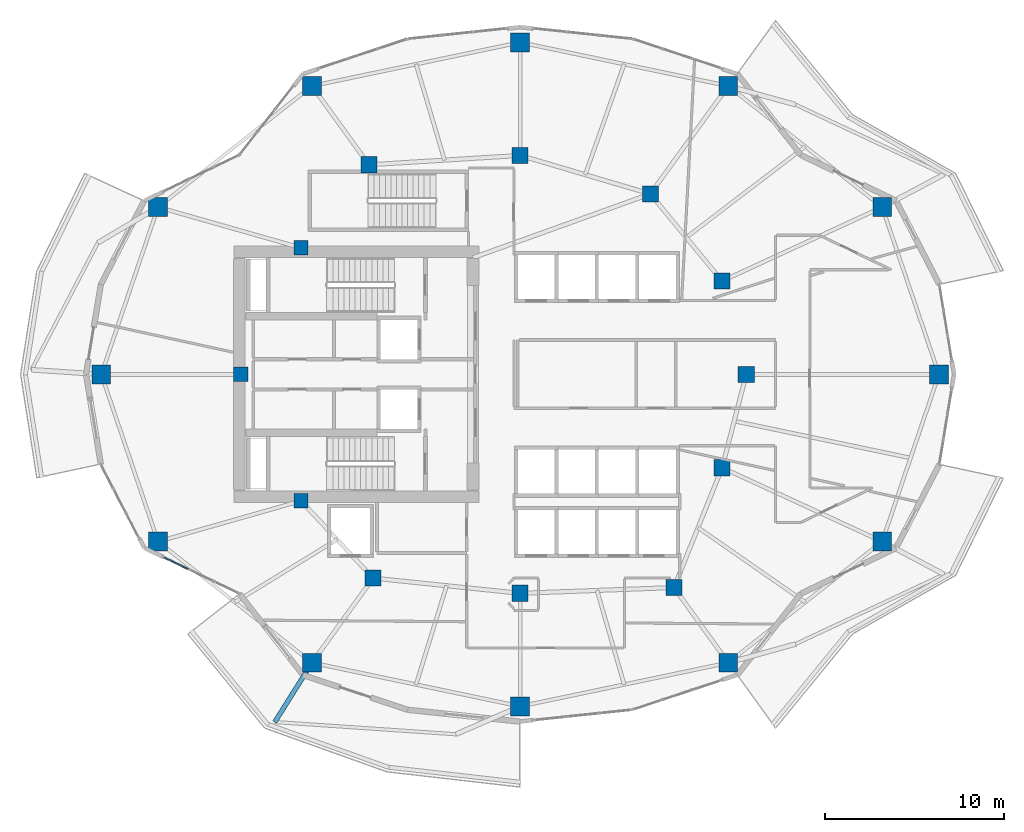
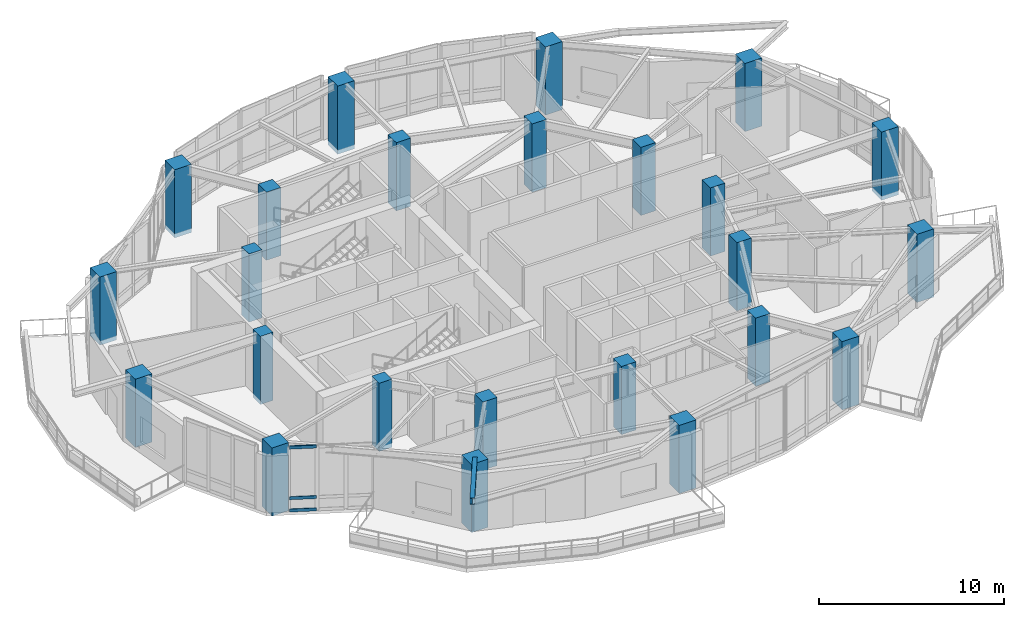
# One storey, part 1 of 16: 24 columns, 3 members, 1 beam, 1 element without a shape of its own.
"""IFC4 building model written with IfcOpenShell, lengths in metres."""

from ifc_helpers import new_model, si_unit, direction, frame, origin, origin_2d, place, context, subcontext, project, spatial, rectangle, i_section, extrude, material, layer, layer_set, material_profile, profile_set, type_object, element, aggregate, save


model = new_model("IFC4")

# Units and contexts
model_context = context("Model", 3, precision=1e-05, world=origin(), true_north=direction((0.0, 1.0)))
body_context = subcontext(model_context, "Body", "Model", "MODEL_VIEW")
ifc_project = project(units=[si_unit("LENGTHUNIT", "METRE"), si_unit("AREAUNIT", "SQUARE_METRE"), si_unit("VOLUMEUNIT", "CUBIC_METRE"), si_unit("PLANEANGLEUNIT", "RADIAN"), si_unit("MASSUNIT", "GRAM", prefix="KILO")], contexts=[model_context])

# Site, building, storey
site_placement = place(None, origin())
site = spatial("IfcSite", under=ifc_project, at=site_placement, CompositionType="ELEMENT")
building_placement = place(site_placement, origin())
building = spatial("IfcBuilding", under=site, at=building_placement, Name="Kolvaren Gate Tower and Convention Centre", CompositionType="ELEMENT")
storey_placement = place(building_placement, frame((0.0, 0.0, 100.800048828125)))
storey = spatial("IfcBuildingStorey", under=building, at=storey_placement, Name="L24", CompositionType="ELEMENT", Elevation=100.800048828125)

# Columns
ifc_material_1 = material(Name="Concrete C60/75", Category="concrete")
ifc_material_profile_1 = material_profile(ifc_material_1, rectangle(XDim=1.050048828125, YDim=1.050048828125, at=origin_2d()), Name="RC-COL-1050X1050")
ifc_profile_set_1 = profile_set([ifc_material_profile_1], Name="Concrete C60/75")
column_type_1 = type_object("IfcColumnType", Name="STR-COL-RC1050", PredefinedType="COLUMN", material=ifc_profile_set_1)
for number, where, z_axis, x_axis, name in (
    (1, (53.46240234375, 27.0, -0.280029296875), (0.0, 0.0, 1.0), (1.0, 0.0, 0.0), "Tower L24 Perimeter Supercolumn TP-01"),
    (2, (50.30029296875, 36.318603515625, -0.280029296875), (0.0, 0.0, 1.0), (1.0, 0.0, 0.0), "Tower L24 Perimeter Supercolumn TP-02"),
    (3, (41.721435546875, 43.068359375, -0.280029296875), (0.0, 0.0, 1.0), (1.0, 0.0, 0.0), "Tower L24 Perimeter Supercolumn TP-03"),
    (4, (30.125, 45.5, -0.280029296875), (0.0, 0.0, 1.0), (1.0, 0.0, 0.0), "Tower L24 Perimeter Supercolumn TP-04"),
    (5, (18.52880859375, 43.068359375, -0.280029296875), (0.0, 0.0, 1.0), (1.0, 0.0, 0.0), "Tower L24 Perimeter Supercolumn TP-05"),
    (6, (9.94970703125, 36.318603515625, -0.280029296875), (0.0, 0.0, 1.0), (1.0, 0.0, 0.0), "Tower L24 Perimeter Supercolumn TP-06"),
    (7, (6.78759765625, 27.0, -0.280029296875), (0.0, 0.0, 1.0), (1.0, 0.0, 0.0), "Tower L24 Perimeter Supercolumn TP-07"),
    (8, (9.94970703125, 17.681396484375, -0.280029296875), (0.0, 0.0, 1.0), (1.0, 0.0, 0.0), "Tower L24 Perimeter Supercolumn TP-08"),
    (9, (18.528564453125, 10.931640625, -0.280029296875), (0.0, 0.0, 1.0), (1.0, 0.0, 0.0), "Tower L24 Perimeter Supercolumn TP-09"),
    (10, (30.125, 8.5, -0.280029296875), (0.0, 0.0, 1.0), (1.0, 0.0, 0.0), "Tower L24 Perimeter Supercolumn TP-10"),
    (11, (41.721435546875, 10.931640625, -0.280029296875), (0.0, 0.0, 1.0), (1.0, 0.0, 0.0), "Tower L24 Perimeter Supercolumn TP-11"),
    (12, (50.30029296875, 17.681396484375, -0.280029296875), (0.0, 0.0, 1.0), (1.0, 0.0, 0.0), "Tower L24 Perimeter Supercolumn TP-12"),
):
    element("IfcColumn", number, at=place(storey_placement, frame(where, z_axis=z_axis, x_axis=x_axis)), inside=storey, type_object=column_type_1, Name=name, PredefinedType="COLUMN", context=body_context, shape_type="SweptSolid", body=[
        extrude(rectangle(XDim=1.050048828125, YDim=1.050048828125, at=origin_2d()), origin(), (0.0, 0.0, 1.0), 4.510009765625),
    ])
ifc_material_profile_2 = material_profile(ifc_material_1, rectangle(XDim=0.89990234375, YDim=0.89990234375, at=origin_2d()), Name="RC-COL-900X900")
ifc_profile_set_2 = profile_set([ifc_material_profile_2], Name="Concrete C60/75")
column_type_2 = type_object("IfcColumnType", Name="STR-COL-RC900", PredefinedType="COLUMN", material=ifc_profile_set_2)
for number, where, z_axis, x_axis, name in (
    (13, (42.72509765625, 27.0, -0.280029296875), (0.0, 0.0, 1.0), (1.0, 0.0, 0.0), "Tower L24 Interior Column TI-01"),
    (14, (41.382080078125, 32.199462890625, -0.280029296875), (0.0, 0.0, 1.0), (1.0, 0.0, 0.0), "Tower L24 Interior Column TI-02"),
    (15, (37.381591796875, 37.054931640625, -0.280029296875), (0.0, 0.0, 1.0), (1.0, 0.0, 0.0), "Tower L24 Interior Column TI-03"),
    (16, (30.125, 39.199951171875, -0.280029296875), (0.0, 0.0, 1.0), (1.0, 0.0, 0.0), "Tower L24 Interior Column TI-04"),
    (17, (21.697998046875, 38.6767578125, -0.280029296875), (0.0, 0.0, 1.0), (1.0, 0.0, 0.0), "Tower L24 Interior Column TI-05"),
    (18, (21.93212890625, 15.647705078125, -0.280029296875), (0.0, 0.0, 1.0), (1.0, 0.0, 0.0), "Tower L24 Interior Column TI-06"),
    (19, (30.125, 14.800048828125, -0.280029296875), (0.0, 0.0, 1.0), (1.0, 0.0, 0.0), "Tower L24 Interior Column TI-07"),
    (20, (38.6982421875, 15.12060546875, -0.280029296875), (0.0, 0.0, 1.0), (1.0, 0.0, 0.0), "Tower L24 Interior Column TI-08"),
    (21, (41.382080078125, 21.800537109375, -0.280029296875), (0.0, 0.0, 1.0), (1.0, 0.0, 0.0), "Tower L24 Interior Column TI-09"),
):
    element("IfcColumn", number, at=place(storey_placement, frame(where, z_axis=z_axis, x_axis=x_axis)), inside=storey, type_object=column_type_2, Name=name, PredefinedType="COLUMN", context=body_context, shape_type="SweptSolid", body=[
        extrude(rectangle(XDim=0.89990234375, YDim=0.89990234375, at=origin_2d()), origin(), (0.0, 0.0, 1.0), 4.510009765625),
    ])
ifc_material_profile_3 = material_profile(ifc_material_1, rectangle(XDim=0.800048828125, YDim=0.800048828125, at=origin_2d()), Name="RC-COL-800X800")
ifc_profile_set_3 = profile_set([ifc_material_profile_3], Name="Concrete C60/75")
column_type_3 = type_object("IfcColumnType", Name="STR-PIL-RC800", PredefinedType="PILASTER", material=ifc_profile_set_3)
for number, where, z_axis, x_axis, name in (
    (22, (17.9140625, 34.050048828125, -0.280029296875), (0.0, 0.0, 1.0), (1.0, 0.0, 0.0), "Tower L24 Core Boundary Pilaster TC-05"),
    (23, (14.550048828125, 27.0, -0.280029296875), (0.0, 0.0, 1.0), (1.0, 0.0, 0.0), "Tower L24 Core Boundary Pilaster TC-06"),
    (24, (17.9140625, 19.949951171875, -0.280029296875), (0.0, 0.0, 1.0), (1.0, 0.0, 0.0), "Tower L24 Core Boundary Pilaster TC-07"),
):
    element("IfcColumn", number, at=place(storey_placement, frame(where, z_axis=z_axis, x_axis=x_axis)), inside=storey, type_object=column_type_3, Name=name, PredefinedType="PILASTER", context=body_context, shape_type="SweptSolid", body=[
        extrude(rectangle(XDim=0.800048828125, YDim=0.800048828125, at=origin_2d()), origin(), (0.0, 0.0, 1.0), 4.510009765625),
    ])

# Curtain wall, members
ifc_material_2 = material(Name="Anodized Architectural Aluminium Alloy 6063-T6", Category="aluminium")
ifc_layer = layer(ifc_material_2, 0.199951171875)
ifc_layer_set = layer_set([ifc_layer], Name="Anodized Architectural Aluminium Alloy 6063-T6")
curtain_wall_type = type_object("IfcCurtainWallType", Name="CW-SKY-GLZ", PredefinedType="NOTDEFINED", material=ifc_layer_set)
curtain_wall_placement = place(storey_placement, origin())
curtain_wall = element("IfcCurtainWall", 25, at=curtain_wall_placement, inside=storey, type_object=curtain_wall_type, Name="L24 Panoramic Structural Curtain Wall CW-14", PredefinedType="NOTDEFINED")
ifc_material_profile_4 = material_profile(ifc_material_2, rectangle(XDim=0.074951171875, YDim=0.199951171875, at=origin_2d()), Name="CW-MEM-TRN-200")
ifc_profile_set_4 = profile_set([ifc_material_profile_4], Name="Anodized Architectural Aluminium Alloy 6063-T6")
member_type = type_object("IfcMemberType", Name="CW-MEM-TRN-200", PredefinedType="USERDEFINED", material=ifc_profile_set_4)
member_1_placement = place(storey_placement, frame((10.31005859375, 16.781005859375, 0.037353515625), z_axis=(0.901363279999, -0.43306377991, 0.0), x_axis=(0.43306377991, 0.901363279999, 0.0)))
member_1 = element("IfcMember", 26, at=member_1_placement, type_object=member_type, Name="CW-05 transom 1.1", ObjectType="TRANSOM", PredefinedType="USERDEFINED", context=body_context, shape_type="SweptSolid", body=[
    extrude(rectangle(XDim=0.074951171875, YDim=0.199951171875, at=origin_2d()), origin(), (0.0, 0.0, 1.0), 1.455078125),
])
member_2_placement = place(storey_placement, frame((10.31005859375, 16.781005859375, 0.849853515625), z_axis=(0.901363279999, -0.43306377991, 0.0), x_axis=(0.43306377991, 0.901363279999, 0.0)))
member_2 = element("IfcMember", 27, at=member_2_placement, type_object=member_type, Name="CW-05 transom 1.2", ObjectType="TRANSOM", PredefinedType="USERDEFINED", context=body_context, shape_type="SweptSolid", body=[
    extrude(rectangle(XDim=0.074951171875, YDim=0.199951171875, at=origin_2d()), origin(), (0.0, 0.0, 1.0), 1.455078125),
])
member_3_placement = place(storey_placement, frame((10.31005859375, 16.781005859375, 4.1923828125), z_axis=(0.901363279999, -0.43306377991, 0.0), x_axis=(0.43306377991, 0.901363279999, 0.0)))
member_3 = element("IfcMember", 28, at=member_3_placement, type_object=member_type, Name="CW-05 transom 1.3", ObjectType="TRANSOM", PredefinedType="USERDEFINED", context=body_context, shape_type="SweptSolid", body=[
    extrude(rectangle(XDim=0.074951171875, YDim=0.199951171875, at=origin_2d()), origin(), (0.0, 0.0, 1.0), 1.455078125),
])
aggregate(curtain_wall, [member_1, member_2, member_3])

# Beam
ifc_material_3 = material(Name="Structural steel ASTM A992 Grade 345 MPa", Category="steel")
ifc_material_profile_5 = material_profile(ifc_material_3, i_section(OverallWidth=0.260009765625, OverallDepth=0.419921875, WebThickness=0.013427734375, FlangeThickness=0.0224609375, at=origin_2d()), Name="W410X132")
ifc_profile_set_5 = profile_set([ifc_material_profile_5], Name="Structural steel ASTM A992 Grade 345 MPa")
beam_type = type_object("IfcBeamType", Name="STR-BM-W410X132", PredefinedType="BEAM", material=ifc_profile_set_5)
beam_placement = place(storey_placement, frame((18.528564453125, 10.931640625, 4.0205078125), z_axis=(-0.531489309578, -0.847064999752, 0.0), x_axis=(0.847064999752, -0.531489309578, 0.0)))
element("IfcBeam", 29, at=beam_placement, inside=storey, type_object=beam_type, Name="Tower L25 Planted Balcony Outrigger Cantilever BC-3A", PredefinedType="BEAM", context=body_context, shape_type="SweptSolid", body=[
    extrude(i_section(OverallWidth=0.260009765625, OverallDepth=0.419921875, WebThickness=0.013427734375, FlangeThickness=0.0224609375, at=origin_2d()), origin(), (0.0, 0.0, 1.0), 3.89990234375),
])

save(model, "model.ifc")
